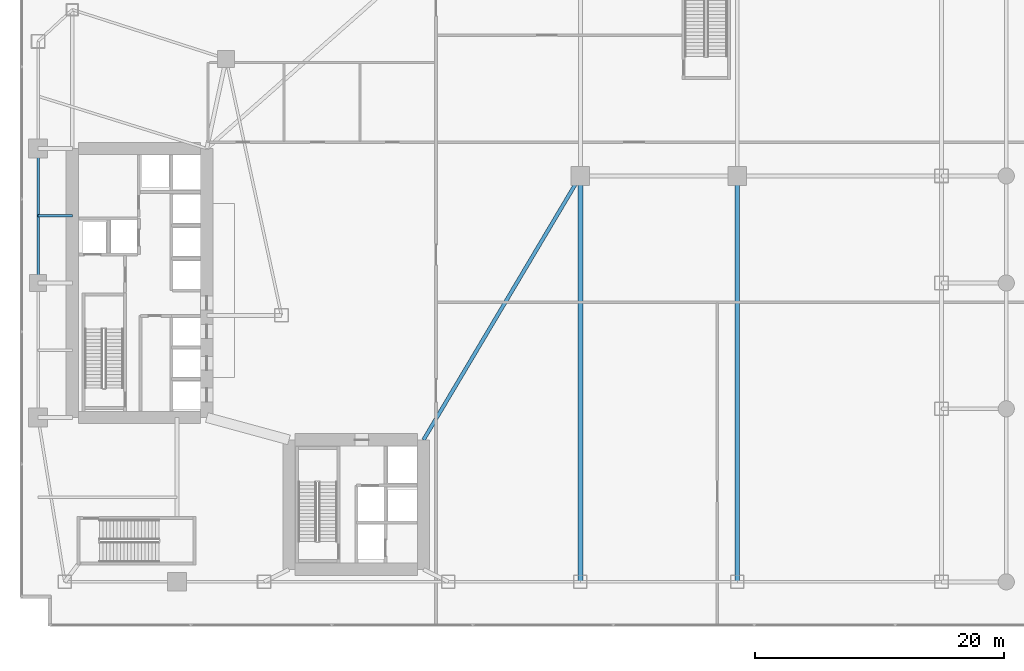
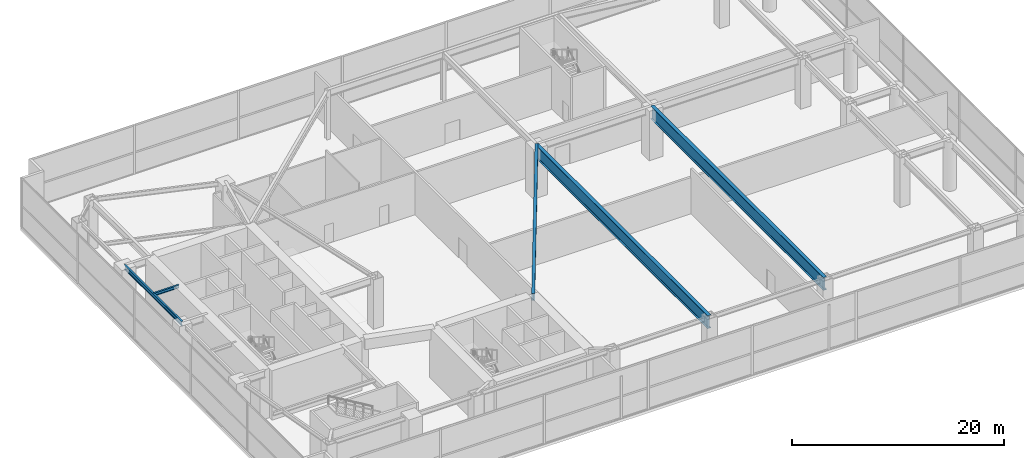
# One storey, part 13 of 35: 5 beams.
"""IFC4 building model written with IfcOpenShell, lengths in metres."""

import ifcopenshell
import ifcopenshell.guid

model = None  # the IFC model being written
_history = None  # IfcOwnerHistory: only IFC2X3 demands one
_inside = {}  # id of a spatial element -> (the spatial element, [elements in it])
_under = {}  # id of a project, library or spatial element -> (it, [spatial elements below it])
_declared = {}  # id of a project -> (the project, [libraries it declares])
_typed = {}  # id of a type object -> (the type object, [elements of that type])
_made_of = {}  # id of a material, layer set ... -> (it, [elements and type objects made of it])


def new_model(schema):
    """Start an empty IFC model of exactly this schema.

    Asked for "IFC4X3", IfcOpenShell would pick the latest addendum, in which some entities
    have other attributes; the version numbers below select the first issue.
    IFC2X3 requires an IfcOwnerHistory on every rooted entity: one is made here for all.
    """
    global model, _history
    if schema == "IFC4X3":
        model = ifcopenshell.file(schema_version=(4, 3, 0, 0))
    else:
        model = ifcopenshell.file(schema=schema)
    _inside.clear()
    _under.clear()
    _declared.clear()
    _typed.clear()
    _made_of.clear()
    _history = None
    if model.schema == "IFC2X3":
        org = make("IfcOrganization", Name="unknown")
        user = make(
            "IfcPersonAndOrganization",
            ThePerson=make("IfcPerson", FamilyName="unknown"),
            TheOrganization=org,
        )
        app = make(
            "IfcApplication",
            ApplicationDeveloper=org,
            Version="unknown",
            ApplicationFullName="unknown",
            ApplicationIdentifier="unknown",
        )
        _history = make(
            "IfcOwnerHistory",
            OwningUser=user,
            OwningApplication=app,
            ChangeAction="ADDED",
            CreationDate=0,
        )
    return model


def make(cls, **values):
    """One entity of the class cls with the attributes given. An attribute that is None is left unset."""
    return model.create_entity(
        cls, **{name: value for name, value in values.items() if value is not None}
    )


def rooted(cls, **values):
    """An entity with a GlobalId (a new one), such as an element, a storey or a relation."""
    return make(cls, GlobalId=ifcopenshell.guid.new(), OwnerHistory=_history, **values)


def si_unit(unit_type, name, prefix=None):
    """IfcSIUnit, for example si_unit("LENGTHUNIT", "METRE", prefix="MILLI")."""
    return make("IfcSIUnit", UnitType=unit_type, Prefix=prefix, Name=name)


def assignment(units):
    """IfcUnitAssignment: the units of a project."""
    return None if units is None else make("IfcUnitAssignment", Units=units)


def point(xyz):
    """IfcCartesianPoint."""
    return None if xyz is None else make("IfcCartesianPoint", Coordinates=xyz)


def direction(xyz):
    """IfcDirection."""
    return None if xyz is None else make("IfcDirection", DirectionRatios=xyz)


def frame(location, z_axis=None, x_axis=None):
    """IfcAxis2Placement3D, a coordinate frame: its origin and axes. An axis left out is left unset."""
    return make(
        "IfcAxis2Placement3D",
        Location=point(location),
        Axis=direction(z_axis),
        RefDirection=direction(x_axis),
    )


def frame_2d(location, x_axis=None):
    """IfcAxis2Placement2D, a coordinate frame in the plane: its origin and x axis."""
    return make(
        "IfcAxis2Placement2D", Location=point(location), RefDirection=direction(x_axis)
    )


def origin():
    """The frame at (0, 0, 0) with its axes left unset."""
    return frame((0.0, 0.0, 0.0))


def origin_2d():
    """The frame at (0, 0) in the plane with its x axis left unset."""
    return frame_2d((0.0, 0.0))


def place(relative_to, where):
    """IfcLocalPlacement: puts the frame where relative to a parent placement (None: the world)."""
    return make(
        "IfcLocalPlacement", PlacementRelTo=relative_to, RelativePlacement=where
    )


def context(
    kind, dimensions, precision=None, world=None, true_north=None, identifier=None
):
    """IfcGeometricRepresentationContext, for example the 3D "Model" context."""
    return make(
        "IfcGeometricRepresentationContext",
        ContextIdentifier=identifier,
        ContextType=kind,
        CoordinateSpaceDimension=dimensions,
        Precision=precision,
        WorldCoordinateSystem=world,
        TrueNorth=true_north,
    )


def subcontext(parent, identifier, kind, view, scale=None):
    """IfcGeometricRepresentationSubContext, for example "Body" below "Model"."""
    return make(
        "IfcGeometricRepresentationSubContext",
        ContextIdentifier=identifier,
        ContextType=kind,
        ParentContext=parent,
        TargetScale=scale,
        TargetView=view,
    )


def project(units=None, contexts=None):
    """IfcProject with its units and contexts."""
    return rooted(
        "IfcProject",
        Name="project",
        RepresentationContexts=contexts,
        UnitsInContext=assignment(units),
    )


def spatial(cls, under=None, at=None, **own):
    """A site, building, storey or space (cls), placed at a placement, below another one or the project."""
    s = rooted(cls, ObjectPlacement=at, **own)
    if under is not None:
        _under.setdefault(under.id(), (under, []))[1].append(s)
    return s


def profile(cls, at=None, kind="AREA", **sizes):
    """A parametric profile (cls). Its sizes go by their IFC names, for example OverallWidth=200.0."""
    return make(cls, ProfileType=kind, Position=at, **sizes)


def i_section(**sizes):
    """IfcIShapeProfileDef."""
    return profile("IfcIShapeProfileDef", **sizes)


def extrude(swept, where, along, depth):
    """IfcExtrudedAreaSolid: the profile swept, set in the frame where, extruded along a direction by depth."""
    return make(
        "IfcExtrudedAreaSolid",
        SweptArea=swept,
        Position=where,
        ExtrudedDirection=direction(along),
        Depth=depth,
    )


def shape(context_of_items, identifier, shape_type, items):
    """IfcShapeRepresentation: the items that make up one representation, for example the "Body"."""
    return make(
        "IfcShapeRepresentation",
        ContextOfItems=context_of_items,
        RepresentationIdentifier=identifier,
        RepresentationType=shape_type,
        Items=items,
    )


def material(Name=None, Category=None):
    """IfcMaterial."""
    return make("IfcMaterial", Name=Name, Category=Category)


def material_profile(
    of_material, cross_section, Name=None, Category=None, Priority=None
):
    """IfcMaterialProfile: a cross section and its material."""
    return make(
        "IfcMaterialProfile",
        Name=Name,
        Material=of_material,
        Profile=cross_section,
        Priority=Priority,
        Category=Category,
    )


def profile_set(profiles, Name=None, composite=None):
    """IfcMaterialProfileSet."""
    return make(
        "IfcMaterialProfileSet",
        Name=Name,
        MaterialProfiles=profiles,
        CompositeProfile=composite,
    )


def made_of(thing, what):
    """Note that an element or type object is made of a material, layer set ...; save() writes the relation."""
    if what is not None:
        _made_of.setdefault(what.id(), (what, []))[1].append(thing)
    return thing


def type_object(cls, material=None, **own):
    """A type object (cls), such as IfcWallType, which elements share."""
    return made_of(rooted(cls, **own), material)


def element(
    cls,
    number,
    at=None,
    inside=None,
    cuts=None,
    type_object=None,
    material=None,
    context=None,
    identifier="Body",
    shape_type=None,
    held_by="IfcProductDefinitionShape",
    body=None,
    shapes=None,
    **own,
):
    """One element of the class cls, such as IfcWall. Its Tag is "e" and its number.

    at: its placement. inside: the storey or other place that contains it. cuts: it is an
    opening in that element (IfcRelVoidsElement). A single representation is given by context,
    identifier, shape_type and body (its items); several are given by shapes. held_by: the class
    of the entity that holds the representations. save() writes the other relations.
    """
    e = rooted(cls, Tag="e%d" % number, ObjectPlacement=at, **own)
    if body is not None:
        shapes = [shape(context, identifier, shape_type, body)]
    if shapes is not None:
        e.Representation = make(held_by, Representations=shapes)
    if inside is not None:
        _inside.setdefault(inside.id(), (inside, []))[1].append(e)
    if cuts is not None:
        rooted(
            "IfcRelVoidsElement", RelatingBuildingElement=cuts, RelatedOpeningElement=e
        )
    if type_object is not None:
        _typed.setdefault(type_object.id(), (type_object, []))[1].append(e)
    return made_of(e, material)


def aggregate(whole, parts):
    """IfcRelAggregates: a whole, such as a stair, and the parts it consists of."""
    return rooted("IfcRelAggregates", RelatingObject=whole, RelatedObjects=parts)


def save(model, path):
    """Write the relations noted so far, then the file.

    IfcRelAggregates (storeys below a building ...), IfcRelContainedInSpatialStructure (elements
    in a storey), IfcRelDefinesByType, IfcRelAssociatesMaterial and IfcRelDeclares: one each for
    every whole, place, type object, material and project.
    """
    for whole, parts in _under.values():
        aggregate(whole, parts)
    for where, things in _inside.values():
        rooted(
            "IfcRelContainedInSpatialStructure",
            RelatedElements=things,
            RelatingStructure=where,
        )
    for kind, things in _typed.values():
        rooted("IfcRelDefinesByType", RelatedObjects=things, RelatingType=kind)
    for what, things in _made_of.values():
        rooted("IfcRelAssociatesMaterial", RelatedObjects=things, RelatingMaterial=what)
    for by, libraries in _declared.values():
        rooted("IfcRelDeclares", RelatingContext=by, RelatedDefinitions=libraries)
    model.write(path)


model = new_model("IFC4")

# Units and contexts
model_context = context("Model", 3, precision=1e-05, world=origin(), true_north=direction((0.0, 1.0)))
body_context = subcontext(model_context, "Body", "Model", "MODEL_VIEW")
ifc_project = project(units=[si_unit("LENGTHUNIT", "METRE"), si_unit("AREAUNIT", "SQUARE_METRE"), si_unit("VOLUMEUNIT", "CUBIC_METRE"), si_unit("PLANEANGLEUNIT", "RADIAN"), si_unit("MASSUNIT", "GRAM", prefix="KILO")], contexts=[model_context])

# Site, building, storey
site_placement = place(None, origin())
site = spatial("IfcSite", under=ifc_project, at=site_placement, CompositionType="ELEMENT")
building_placement = place(site_placement, origin())
building = spatial("IfcBuilding", under=site, at=building_placement, Name="Calvorn Quay Hotel", CompositionType="ELEMENT")
storey_placement = place(building_placement, frame((0.0, 0.0, 6.0)))
storey = spatial("IfcBuildingStorey", under=building, at=storey_placement, Name="L01", CompositionType="ELEMENT", Elevation=6.0)

# Beams
ifc_material_1 = material(Name="Steel Q390GJC", Category="steel")
ifc_material_profile_1 = material_profile(ifc_material_1, i_section(OverallWidth=0.300048828125, OverallDepth=0.800048828125, WebThickness=0.013916015625, FlangeThickness=0.02587890625, FilletRadius=0.02392578125, at=origin_2d()), Name="HN800x300x14x26")
ifc_profile_set_1 = profile_set([ifc_material_profile_1], Name="Steel Q390GJC")
beam_type_1 = type_object("IfcBeamType", Name="BM-GIRD-POD", PredefinedType="BEAM", material=ifc_profile_set_1)
beam_1_placement = place(storey_placement, frame((32.39990234375, 15.0, 5.280029296875), z_axis=(0.510917247409, 0.859629900771, 0.0), x_axis=(-0.859629900771, 0.510917247409, 0.0)))
element("IfcBeam", 1, at=beam_1_placement, inside=storey, type_object=beam_type_1, Name="Beam BG-L01-PN1", PredefinedType="BEAM", context=body_context, shape_type="SweptSolid", body=[
    extrude(i_section(OverallWidth=0.300048828125, OverallDepth=0.800048828125, WebThickness=0.013916015625, FlangeThickness=0.02587890625, FilletRadius=0.02392578125, at=origin_2d()), origin(), (0.0, 0.0, 1.0), 24.66162109375),
])
ifc_material_2 = material(Name="Steel Q355B", Category="steel")
ifc_material_profile_2 = material_profile(ifc_material_2, i_section(OverallWidth=0.175048828125, OverallDepth=0.35009765625, WebThickness=0.007080078125, FlangeThickness=0.010986328125, FilletRadius=0.013916015625, at=origin_2d()), Name="HN350x175x7x11")
ifc_profile_set_2 = profile_set([ifc_material_profile_2], Name="Steel Q355B")
beam_type_2 = type_object("IfcBeamType", Name="BM-JOIST-SEC", PredefinedType="JOIST", material=ifc_profile_set_2)
beam_2_placement = place(storey_placement, frame((1.449951171875, 33.0, 5.5048828125), z_axis=(1.0, 0.0, 0.0), x_axis=(0.0, 1.0, 0.0)))
element("IfcBeam", 2, at=beam_2_placement, inside=storey, type_object=beam_type_2, Name="Beam BJ-L01-W4", PredefinedType="JOIST", context=body_context, shape_type="SweptSolid", body=[
    extrude(i_section(OverallWidth=0.175048828125, OverallDepth=0.35009765625, WebThickness=0.007080078125, FlangeThickness=0.010986328125, FilletRadius=0.013916015625, at=origin_2d()), origin(), (0.0, 0.0, 1.0), 2.75),
])
ifc_material_3 = material(Name="Steel Q355B", Category="steel")
ifc_material_profile_3 = material_profile(ifc_material_3, i_section(OverallWidth=0.199951171875, OverallDepth=0.5, WebThickness=0.010009765625, FlangeThickness=0.01611328125, FilletRadius=0.01611328125, at=origin_2d()), Name="HN500x200x10x16")
ifc_profile_set_3 = profile_set([ifc_material_profile_3], Name="Steel Q355B")
beam_type_3 = type_object("IfcBeamType", Name="BM-SPANDREL-Z1", PredefinedType="SPANDREL", material=ifc_profile_set_3)
beam_3_placement = place(storey_placement, frame((1.449951171875, 27.60009765625, 5.429931640625), z_axis=(0.0, 1.0, 0.0), x_axis=(-1.0, 0.0, 0.0)))
element("IfcBeam", 3, at=beam_3_placement, inside=storey, type_object=beam_type_3, Name="Beam BSP-L01-W3", PredefinedType="SPANDREL", context=body_context, shape_type="SweptSolid", body=[
    extrude(i_section(OverallWidth=0.199951171875, OverallDepth=0.5, WebThickness=0.010009765625, FlangeThickness=0.01611328125, FilletRadius=0.01611328125, at=origin_2d()), origin(), (0.0, 0.0, 1.0), 10.7998046875),
])
ifc_material_4 = material(Name="Steel Q420GJC", Category="steel")
ifc_material_profile_4 = material_profile(ifc_material_4, i_section(OverallWidth=0.3798828125, OverallDepth=1.5, WebThickness=0.02197265625, FlangeThickness=0.0380859375, FilletRadius=0.02392578125, at=origin_2d()), Name="HN1500x380x22x38")
ifc_profile_set_4 = profile_set([ifc_material_profile_4], Name="Steel Q420GJC")
beam_type_4 = type_object("IfcBeamType", Name="BM-XFER-STEP2", PredefinedType="BEAM", material=ifc_profile_set_4)
for number, where, z_axis, x_axis, name in (
    (4, (45.0, 3.60009765625, 4.929931640625), (0.0, 1.0, 0.0), (-1.0, 0.0, 0.0), "Beam BG-L01-C-PN1"),
    (5, (57.60009765625, 3.60009765625, 4.929931640625), (0.0, 1.0, 0.0), (-1.0, 0.0, 0.0), "Beam BG-L01-C-PN2"),
):
    element("IfcBeam", number, at=place(storey_placement, frame(where, z_axis=z_axis, x_axis=x_axis)), inside=storey, type_object=beam_type_4, Name=name, PredefinedType="BEAM", context=body_context, shape_type="SweptSolid", body=[
        extrude(i_section(OverallWidth=0.3798828125, OverallDepth=1.5, WebThickness=0.02197265625, FlangeThickness=0.0380859375, FilletRadius=0.02392578125, at=origin_2d()), origin(), (0.0, 0.0, 1.0), 32.599853515625),
    ])

save(model, "model.ifc")
